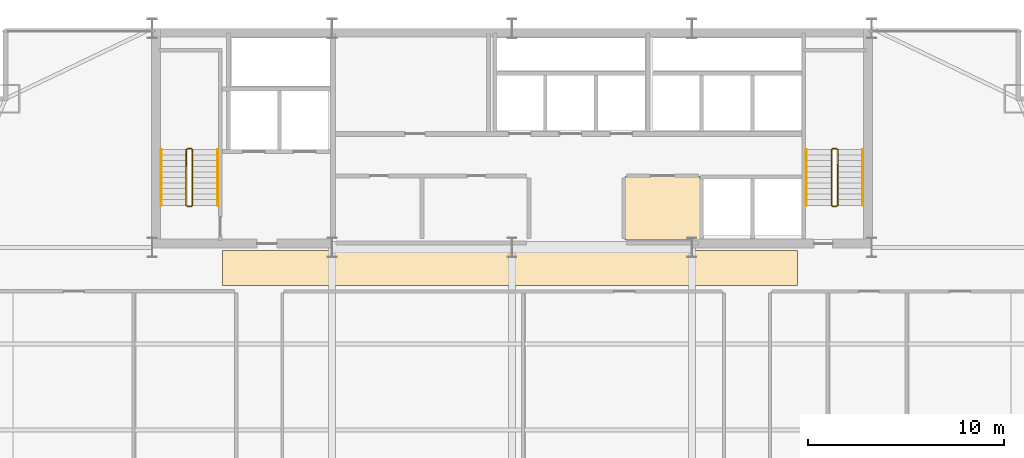
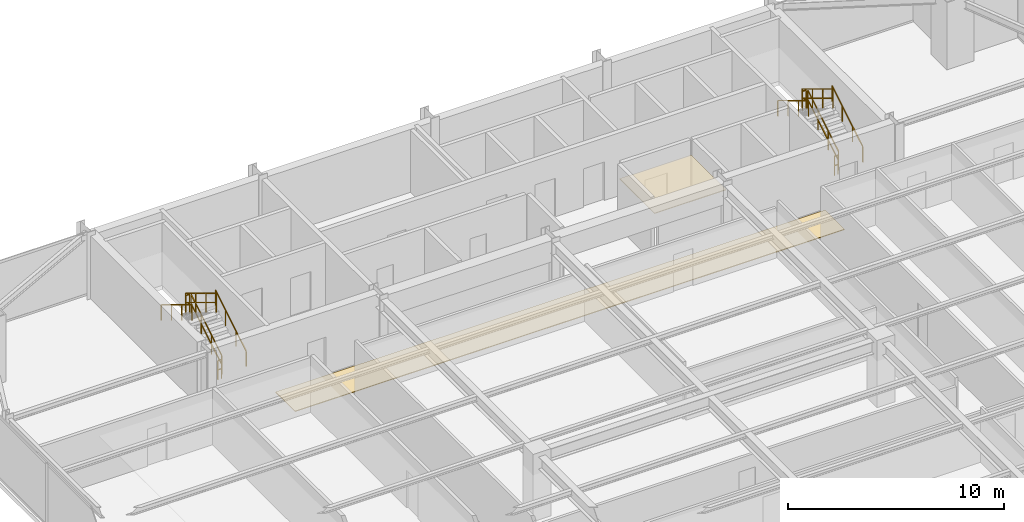
# One storey, part 32 of 32: 12 railings, 2 coverings.
"""IFC4 building model written with IfcOpenShell, lengths in metres."""

from ifc_helpers import new_model, si_unit, direction, frame, origin, origin_2d, place, context, subcontext, project, spatial, polyline, rectangle, outline, extrude, material, layer, layer_set, type_object, element, save


model = new_model("IFC4")

# Units and contexts
model_context = context("Model", 3, precision=1e-05, world=origin(), true_north=direction((0.0, 1.0)))
body_context = subcontext(model_context, "Body", "Model", "MODEL_VIEW")
ifc_project = project(units=[si_unit("LENGTHUNIT", "METRE"), si_unit("AREAUNIT", "SQUARE_METRE"), si_unit("VOLUMEUNIT", "CUBIC_METRE"), si_unit("PLANEANGLEUNIT", "RADIAN"), si_unit("MASSUNIT", "GRAM", prefix="KILO")], contexts=[model_context])

# Site, building, storey
site_placement = place(None, origin())
site = spatial("IfcSite", under=ifc_project, at=site_placement, CompositionType="ELEMENT")
building_placement = place(site_placement, origin())
building = spatial("IfcBuilding", under=site, at=building_placement, Name="Varnel Quay Broadcast Tower", CompositionType="ELEMENT")
storey_placement = place(building_placement, frame((0.0, 0.0, 133.39990234375)))
storey = spatial("IfcBuildingStorey", under=building, at=storey_placement, Name="L32", CompositionType="ELEMENT", Elevation=133.39990234375)

# Coverings
ifc_material_1 = material(Name="Micro-Perforated Acoustic Ceiling Tile")
ifc_layer_1 = layer(ifc_material_1, 0.0400390625, Name="Micro-Perforated Acoustic Ceiling Tile")
ifc_layer_set_1 = layer_set([ifc_layer_1], Name="Micro-Perforated Acoustic Ceiling Tile")
covering_type_1 = type_object("IfcCoveringType", Name="Cov_AcousticCeiling", PredefinedType="CEILING", material=ifc_layer_set_1)
covering_1_placement = place(storey_placement, frame((0.0, 0.0, 2.580078125)))
element("IfcCovering", 1, at=covering_1_placement, inside=storey, type_object=covering_type_1, Name="L32 Electrical Sub-Distribution Closet Acoustic Ceiling", PredefinedType="CEILING", context=body_context, shape_type="SweptSolid", body=[
    extrude(outline(polyline([(39.784912109375, 35.985107421875), (43.614990234375, 35.985107421875), (43.614990234375, 39.215087890625), (39.784912109375, 39.215087890625), (39.784912109375, 35.985107421875)])), origin(), (0.0, 0.0, 1.0), 0.0400390625),
])
ifc_material_2 = material(Name="Polished Terrazzo & Broadcast Raised Flooring")
ifc_layer_2 = layer(ifc_material_2, 0.0400390625, Name="Polished Terrazzo & Broadcast Raised Flooring")
ifc_layer_set_2 = layer_set([ifc_layer_2], Name="Polished Terrazzo & Broadcast Raised Flooring")
covering_type_2 = type_object("IfcCoveringType", Name="Cov_TerrazzoFloor", PredefinedType="FLOORING", material=ifc_layer_set_2)
covering_2_placement = place(storey_placement, origin())
element("IfcCovering", 2, at=covering_2_placement, inside=storey, type_object=covering_type_2, Name="L32 Corridor Terrazzo Flooring", PredefinedType="FLOORING", context=body_context, shape_type="SweptSolid", body=[
    extrude(outline(polyline([(19.199951171875, 33.64990234375), (48.60009765625, 33.64990234375), (48.60009765625, 35.449951171875), (19.199951171875, 35.449951171875), (19.199951171875, 33.64990234375)])), origin(), (0.0, 0.0, 1.0), 0.0400390625),
])

# Railings
ifc_material_3 = material(Name="Painted Steel Guard and Handrail CSA G40.21 350W", Category="steel")
railing_type_1 = type_object("IfcRailingType", Name="Rail_StairGuard1100", PredefinedType="GUARDRAIL", material=ifc_material_3)
railing_1_placement = place(storey_placement, frame((17.64990234375, 37.75, 0.1728515625)))
element("IfcRailing", 3, at=railing_1_placement, inside=storey, type_object=railing_type_1, Name="L32 ST-01 stair guard 1", PredefinedType="GUARDRAIL", context=body_context, shape_type="SweptSolid", body=[
    extrude(rectangle(XDim=0.048095703125, YDim=0.048095703125, at=origin_2d()), frame((0.0, 0.0, 1.076171875), z_axis=(0.0, 0.855202751398, 0.518293598264), x_axis=(-1.0, 0.0, 0.0)), (0.0, 0.0, 1.0), 3.332763671875),
    extrude(rectangle(XDim=0.048095703125, YDim=0.048095703125, at=origin_2d()), frame((0.0, 0.0, 0.550048828125), z_axis=(0.0, 0.855202751398, 0.518293598264), x_axis=(-1.0, 0.0, 0.0)), (0.0, 0.0, 1.0), 3.332763671875),
    extrude(rectangle(XDim=0.0419921875, YDim=0.0419921875, at=origin_2d()), origin(), (0.0, 0.0, 1.0), 1.052001953125),
    extrude(rectangle(XDim=0.0419921875, YDim=0.0419921875, at=origin_2d()), frame((0.0, 0.949951171875, 0.57568359375)), (0.0, 0.0, 1.0), 1.052001953125),
    extrude(rectangle(XDim=0.0419921875, YDim=0.0419921875, at=origin_2d()), frame((0.0, 1.900146484375, 1.151611328125)), (0.0, 0.0, 1.0), 1.052001953125),
    extrude(rectangle(XDim=0.0419921875, YDim=0.0419921875, at=origin_2d()), frame((0.0, 2.85009765625, 1.727294921875)), (0.0, 0.0, 1.0), 1.052001953125),
])
railing_2_placement = place(storey_placement, frame((17.60009765625, 40.64990234375, 1.900146484375)))
element("IfcRailing", 4, at=railing_2_placement, inside=storey, type_object=railing_type_1, Name="L32 ST-01 stair guard 2", PredefinedType="GUARDRAIL", context=body_context, shape_type="SweptSolid", body=[
    extrude(rectangle(XDim=0.048095703125, YDim=0.048095703125, at=origin_2d()), frame((0.0, 0.0, 1.076171875), z_axis=(-1.0, 0.0, 0.0), x_axis=(0.0, -1.0, 0.0)), (0.0, 0.0, 1.0), 0.2001953125),
    extrude(rectangle(XDim=0.048095703125, YDim=0.048095703125, at=origin_2d()), frame((0.0, 0.0, 0.550048828125), z_axis=(-1.0, 0.0, 0.0), x_axis=(0.0, -1.0, 0.0)), (0.0, 0.0, 1.0), 0.2001953125),
    extrude(rectangle(XDim=0.0419921875, YDim=0.0419921875, at=origin_2d()), origin(), (0.0, 0.0, 1.0), 1.052001953125),
    extrude(rectangle(XDim=0.0419921875, YDim=0.0419921875, at=origin_2d()), frame((-0.2001953125, 0.0, 0.0)), (0.0, 0.0, 1.0), 1.052001953125),
])
railing_3_placement = place(storey_placement, frame((17.35009765625, 40.60009765625, 2.07275390625)))
element("IfcRailing", 5, at=railing_3_placement, inside=storey, type_object=railing_type_1, Name="L32 ST-01 stair guard 3", PredefinedType="GUARDRAIL", context=body_context, shape_type="SweptSolid", body=[
    extrude(rectangle(XDim=0.048095703125, YDim=0.048095703125, at=origin_2d()), frame((0.0, 0.0, 1.076171875), z_axis=(0.0, -0.855202751398, 0.518293598264), x_axis=(1.0, 0.0, 0.0)), (0.0, 0.0, 1.0), 3.332763671875),
    extrude(rectangle(XDim=0.048095703125, YDim=0.048095703125, at=origin_2d()), frame((0.0, 0.0, 0.550048828125), z_axis=(0.0, -0.855202751398, 0.518293598264), x_axis=(1.0, 0.0, 0.0)), (0.0, 0.0, 1.0), 3.332763671875),
    extrude(rectangle(XDim=0.0419921875, YDim=0.0419921875, at=origin_2d()), origin(), (0.0, 0.0, 1.0), 1.052001953125),
    extrude(rectangle(XDim=0.0419921875, YDim=0.0419921875, at=origin_2d()), frame((0.0, -0.949951171875, 0.57568359375)), (0.0, 0.0, 1.0), 1.052001953125),
    extrude(rectangle(XDim=0.0419921875, YDim=0.0419921875, at=origin_2d()), frame((0.0, -1.900146484375, 1.151611328125)), (0.0, 0.0, 1.0), 1.052001953125),
    extrude(rectangle(XDim=0.0419921875, YDim=0.0419921875, at=origin_2d()), frame((0.0, -2.85009765625, 1.727294921875)), (0.0, 0.0, 1.0), 1.052001953125),
])
railing_4_placement = place(storey_placement, frame((17.60009765625, 37.699951171875, 0.0)))
element("IfcRailing", 6, at=railing_4_placement, inside=storey, type_object=railing_type_1, Name="L32 ST-01 stair guard 4", PredefinedType="GUARDRAIL", context=body_context, shape_type="SweptSolid", body=[
    extrude(rectangle(XDim=0.048095703125, YDim=0.048095703125, at=origin_2d()), frame((0.0, 0.0, 1.076171875), z_axis=(-1.0, 0.0, 0.0), x_axis=(0.0, -1.0, 0.0)), (0.0, 0.0, 1.0), 0.2001953125),
    extrude(rectangle(XDim=0.048095703125, YDim=0.048095703125, at=origin_2d()), frame((0.0, 0.0, 0.550048828125), z_axis=(-1.0, 0.0, 0.0), x_axis=(0.0, -1.0, 0.0)), (0.0, 0.0, 1.0), 0.2001953125),
    extrude(rectangle(XDim=0.0419921875, YDim=0.0419921875, at=origin_2d()), origin(), (0.0, 0.0, 1.0), 1.052001953125),
    extrude(rectangle(XDim=0.0419921875, YDim=0.0419921875, at=origin_2d()), frame((-0.2001953125, 0.0, 0.0)), (0.0, 0.0, 1.0), 1.052001953125),
])
railing_5_placement = place(storey_placement, frame((50.64990234375, 37.75, 0.1728515625)))
element("IfcRailing", 7, at=railing_5_placement, inside=storey, type_object=railing_type_1, Name="L32 ST-02 stair guard 1", PredefinedType="GUARDRAIL", context=body_context, shape_type="SweptSolid", body=[
    extrude(rectangle(XDim=0.048095703125, YDim=0.048095703125, at=origin_2d()), frame((0.0, 0.0, 1.076171875), z_axis=(0.0, 0.855202751398, 0.518293598264), x_axis=(-1.0, 0.0, 0.0)), (0.0, 0.0, 1.0), 3.332763671875),
    extrude(rectangle(XDim=0.048095703125, YDim=0.048095703125, at=origin_2d()), frame((0.0, 0.0, 0.550048828125), z_axis=(0.0, 0.855202751398, 0.518293598264), x_axis=(-1.0, 0.0, 0.0)), (0.0, 0.0, 1.0), 3.332763671875),
    extrude(rectangle(XDim=0.0419921875, YDim=0.0419921875, at=origin_2d()), origin(), (0.0, 0.0, 1.0), 1.052001953125),
    extrude(rectangle(XDim=0.0419921875, YDim=0.0419921875, at=origin_2d()), frame((0.0, 0.949951171875, 0.57568359375)), (0.0, 0.0, 1.0), 1.052001953125),
    extrude(rectangle(XDim=0.0419921875, YDim=0.0419921875, at=origin_2d()), frame((0.0, 1.900146484375, 1.151611328125)), (0.0, 0.0, 1.0), 1.052001953125),
    extrude(rectangle(XDim=0.0419921875, YDim=0.0419921875, at=origin_2d()), frame((0.0, 2.85009765625, 1.727294921875)), (0.0, 0.0, 1.0), 1.052001953125),
])
railing_6_placement = place(storey_placement, frame((50.60009765625, 40.64990234375, 1.900146484375)))
element("IfcRailing", 8, at=railing_6_placement, inside=storey, type_object=railing_type_1, Name="L32 ST-02 stair guard 2", PredefinedType="GUARDRAIL", context=body_context, shape_type="SweptSolid", body=[
    extrude(rectangle(XDim=0.048095703125, YDim=0.048095703125, at=origin_2d()), frame((0.0, 0.0, 1.076171875), z_axis=(-1.0, 0.0, 0.0), x_axis=(0.0, -1.0, 0.0)), (0.0, 0.0, 1.0), 0.2001953125),
    extrude(rectangle(XDim=0.048095703125, YDim=0.048095703125, at=origin_2d()), frame((0.0, 0.0, 0.550048828125), z_axis=(-1.0, 0.0, 0.0), x_axis=(0.0, -1.0, 0.0)), (0.0, 0.0, 1.0), 0.2001953125),
    extrude(rectangle(XDim=0.0419921875, YDim=0.0419921875, at=origin_2d()), origin(), (0.0, 0.0, 1.0), 1.052001953125),
    extrude(rectangle(XDim=0.0419921875, YDim=0.0419921875, at=origin_2d()), frame((-0.2001953125, 0.0, 0.0)), (0.0, 0.0, 1.0), 1.052001953125),
])
railing_7_placement = place(storey_placement, frame((50.35009765625, 40.60009765625, 2.07275390625)))
element("IfcRailing", 9, at=railing_7_placement, inside=storey, type_object=railing_type_1, Name="L32 ST-02 stair guard 3", PredefinedType="GUARDRAIL", context=body_context, shape_type="SweptSolid", body=[
    extrude(rectangle(XDim=0.048095703125, YDim=0.048095703125, at=origin_2d()), frame((0.0, 0.0, 1.076171875), z_axis=(0.0, -0.855202751398, 0.518293598264), x_axis=(1.0, 0.0, 0.0)), (0.0, 0.0, 1.0), 3.332763671875),
    extrude(rectangle(XDim=0.048095703125, YDim=0.048095703125, at=origin_2d()), frame((0.0, 0.0, 0.550048828125), z_axis=(0.0, -0.855202751398, 0.518293598264), x_axis=(1.0, 0.0, 0.0)), (0.0, 0.0, 1.0), 3.332763671875),
    extrude(rectangle(XDim=0.0419921875, YDim=0.0419921875, at=origin_2d()), origin(), (0.0, 0.0, 1.0), 1.052001953125),
    extrude(rectangle(XDim=0.0419921875, YDim=0.0419921875, at=origin_2d()), frame((0.0, -0.949951171875, 0.57568359375)), (0.0, 0.0, 1.0), 1.052001953125),
    extrude(rectangle(XDim=0.0419921875, YDim=0.0419921875, at=origin_2d()), frame((0.0, -1.900146484375, 1.151611328125)), (0.0, 0.0, 1.0), 1.052001953125),
    extrude(rectangle(XDim=0.0419921875, YDim=0.0419921875, at=origin_2d()), frame((0.0, -2.85009765625, 1.727294921875)), (0.0, 0.0, 1.0), 1.052001953125),
])
railing_8_placement = place(storey_placement, frame((50.60009765625, 37.699951171875, 0.0)))
element("IfcRailing", 10, at=railing_8_placement, inside=storey, type_object=railing_type_1, Name="L32 ST-02 stair guard 4", PredefinedType="GUARDRAIL", context=body_context, shape_type="SweptSolid", body=[
    extrude(rectangle(XDim=0.048095703125, YDim=0.048095703125, at=origin_2d()), frame((0.0, 0.0, 1.076171875), z_axis=(-1.0, 0.0, 0.0), x_axis=(0.0, -1.0, 0.0)), (0.0, 0.0, 1.0), 0.2001953125),
    extrude(rectangle(XDim=0.048095703125, YDim=0.048095703125, at=origin_2d()), frame((0.0, 0.0, 0.550048828125), z_axis=(-1.0, 0.0, 0.0), x_axis=(0.0, -1.0, 0.0)), (0.0, 0.0, 1.0), 0.2001953125),
    extrude(rectangle(XDim=0.0419921875, YDim=0.0419921875, at=origin_2d()), origin(), (0.0, 0.0, 1.0), 1.052001953125),
    extrude(rectangle(XDim=0.0419921875, YDim=0.0419921875, at=origin_2d()), frame((-0.2001953125, 0.0, 0.0)), (0.0, 0.0, 1.0), 1.052001953125),
])
railing_type_2 = type_object("IfcRailingType", Name="Rail_StairHandrail900", PredefinedType="HANDRAIL", material=ifc_material_3)
railing_9_placement = place(storey_placement, frame((18.949951171875, 37.75, 0.1728515625)))
element("IfcRailing", 11, at=railing_9_placement, inside=storey, type_object=railing_type_2, Name="L32 ST-01 stair handrail 1", PredefinedType="HANDRAIL", context=body_context, shape_type="SweptSolid", body=[
    extrude(rectangle(XDim=0.048095703125, YDim=0.048095703125, at=origin_2d()), frame((0.0, 0.0, 0.8759765625), z_axis=(0.0, 0.855202751398, 0.518293598264), x_axis=(-1.0, 0.0, 0.0)), (0.0, 0.0, 1.0), 3.332763671875),
    extrude(rectangle(XDim=0.0419921875, YDim=0.0419921875, at=origin_2d()), origin(), (0.0, 0.0, 1.0), 0.851806640625),
    extrude(rectangle(XDim=0.0419921875, YDim=0.0419921875, at=origin_2d()), frame((0.0, 0.949951171875, 0.57568359375)), (0.0, 0.0, 1.0), 0.851806640625),
    extrude(rectangle(XDim=0.0419921875, YDim=0.0419921875, at=origin_2d()), frame((0.0, 1.900146484375, 1.151611328125)), (0.0, 0.0, 1.0), 0.851806640625),
    extrude(rectangle(XDim=0.0419921875, YDim=0.0419921875, at=origin_2d()), frame((0.0, 2.85009765625, 1.727294921875)), (0.0, 0.0, 1.0), 0.851806640625),
])
railing_10_placement = place(storey_placement, frame((16.050048828125, 40.60009765625, 2.07275390625)))
element("IfcRailing", 12, at=railing_10_placement, inside=storey, type_object=railing_type_2, Name="L32 ST-01 stair handrail 2", PredefinedType="HANDRAIL", context=body_context, shape_type="SweptSolid", body=[
    extrude(rectangle(XDim=0.048095703125, YDim=0.048095703125, at=origin_2d()), frame((0.0, 0.0, 0.8759765625), z_axis=(0.0, -0.855202751398, 0.518293598264), x_axis=(1.0, 0.0, 0.0)), (0.0, 0.0, 1.0), 3.332763671875),
    extrude(rectangle(XDim=0.0419921875, YDim=0.0419921875, at=origin_2d()), origin(), (0.0, 0.0, 1.0), 0.851806640625),
    extrude(rectangle(XDim=0.0419921875, YDim=0.0419921875, at=origin_2d()), frame((0.0, -0.949951171875, 0.57568359375)), (0.0, 0.0, 1.0), 0.851806640625),
    extrude(rectangle(XDim=0.0419921875, YDim=0.0419921875, at=origin_2d()), frame((0.0, -1.900146484375, 1.151611328125)), (0.0, 0.0, 1.0), 0.851806640625),
    extrude(rectangle(XDim=0.0419921875, YDim=0.0419921875, at=origin_2d()), frame((0.0, -2.85009765625, 1.727294921875)), (0.0, 0.0, 1.0), 0.851806640625),
])
railing_11_placement = place(storey_placement, frame((51.949951171875, 37.75, 0.1728515625)))
element("IfcRailing", 13, at=railing_11_placement, inside=storey, type_object=railing_type_2, Name="L32 ST-02 stair handrail 1", PredefinedType="HANDRAIL", context=body_context, shape_type="SweptSolid", body=[
    extrude(rectangle(XDim=0.048095703125, YDim=0.048095703125, at=origin_2d()), frame((0.0, 0.0, 0.8759765625), z_axis=(0.0, 0.855202751398, 0.518293598264), x_axis=(-1.0, 0.0, 0.0)), (0.0, 0.0, 1.0), 3.332763671875),
    extrude(rectangle(XDim=0.0419921875, YDim=0.0419921875, at=origin_2d()), origin(), (0.0, 0.0, 1.0), 0.851806640625),
    extrude(rectangle(XDim=0.0419921875, YDim=0.0419921875, at=origin_2d()), frame((0.0, 0.949951171875, 0.57568359375)), (0.0, 0.0, 1.0), 0.851806640625),
    extrude(rectangle(XDim=0.0419921875, YDim=0.0419921875, at=origin_2d()), frame((0.0, 1.900146484375, 1.151611328125)), (0.0, 0.0, 1.0), 0.851806640625),
    extrude(rectangle(XDim=0.0419921875, YDim=0.0419921875, at=origin_2d()), frame((0.0, 2.85009765625, 1.727294921875)), (0.0, 0.0, 1.0), 0.851806640625),
])
railing_12_placement = place(storey_placement, frame((49.050048828125, 40.60009765625, 2.07275390625)))
element("IfcRailing", 14, at=railing_12_placement, inside=storey, type_object=railing_type_2, Name="L32 ST-02 stair handrail 2", PredefinedType="HANDRAIL", context=body_context, shape_type="SweptSolid", body=[
    extrude(rectangle(XDim=0.048095703125, YDim=0.048095703125, at=origin_2d()), frame((0.0, 0.0, 0.8759765625), z_axis=(0.0, -0.855202751398, 0.518293598264), x_axis=(1.0, 0.0, 0.0)), (0.0, 0.0, 1.0), 3.332763671875),
    extrude(rectangle(XDim=0.0419921875, YDim=0.0419921875, at=origin_2d()), origin(), (0.0, 0.0, 1.0), 0.851806640625),
    extrude(rectangle(XDim=0.0419921875, YDim=0.0419921875, at=origin_2d()), frame((0.0, -0.949951171875, 0.57568359375)), (0.0, 0.0, 1.0), 0.851806640625),
    extrude(rectangle(XDim=0.0419921875, YDim=0.0419921875, at=origin_2d()), frame((0.0, -1.900146484375, 1.151611328125)), (0.0, 0.0, 1.0), 0.851806640625),
    extrude(rectangle(XDim=0.0419921875, YDim=0.0419921875, at=origin_2d()), frame((0.0, -2.85009765625, 1.727294921875)), (0.0, 0.0, 1.0), 0.851806640625),
])

save(model, "model.ifc")
